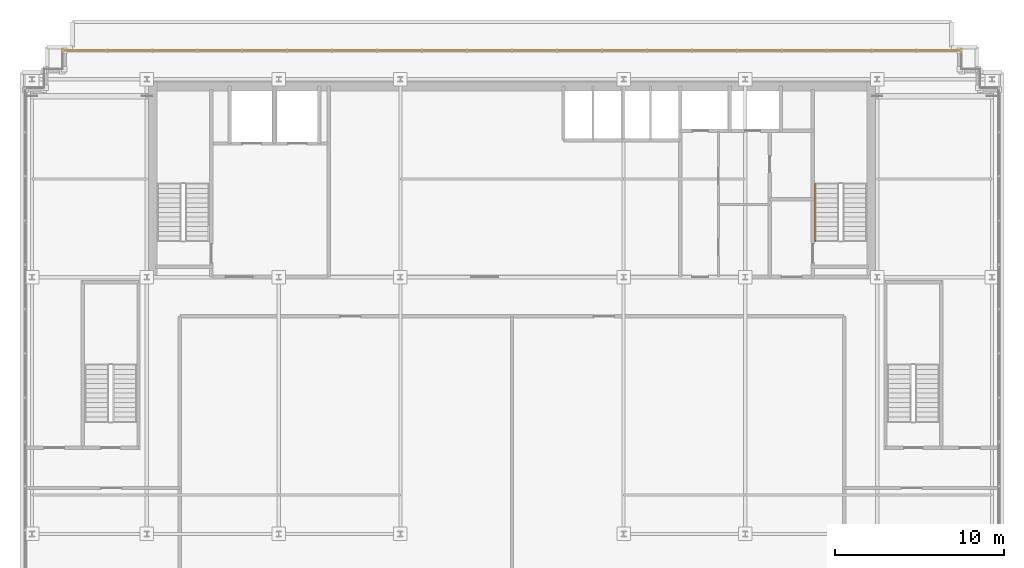
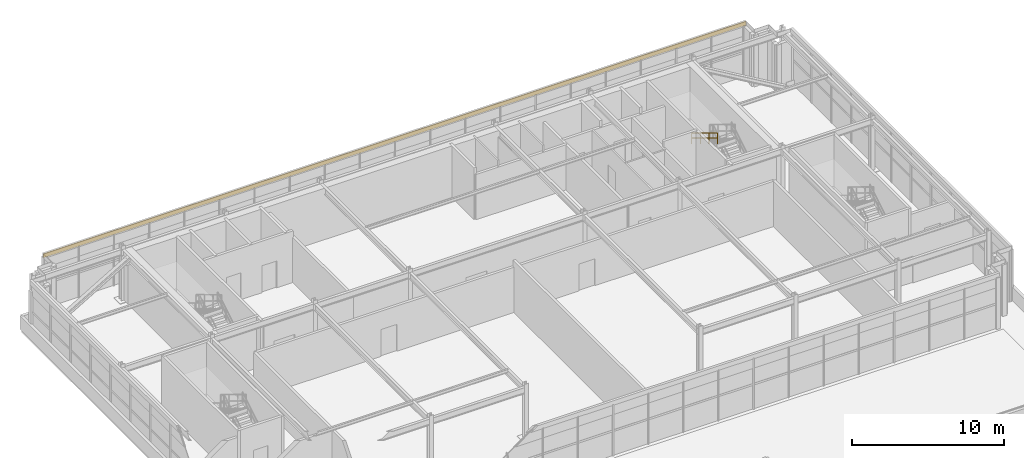
# One storey, part 37 of 38: 1 covering, 1 railing.
"""IFC4 building model written with IfcOpenShell, lengths in metres."""

import ifcopenshell
import ifcopenshell.guid

model = None  # the IFC model being written
_history = None  # IfcOwnerHistory: only IFC2X3 demands one
_inside = {}  # id of a spatial element -> (the spatial element, [elements in it])
_under = {}  # id of a project, library or spatial element -> (it, [spatial elements below it])
_declared = {}  # id of a project -> (the project, [libraries it declares])
_typed = {}  # id of a type object -> (the type object, [elements of that type])
_made_of = {}  # id of a material, layer set ... -> (it, [elements and type objects made of it])


def new_model(schema):
    """Start an empty IFC model of exactly this schema.

    Asked for "IFC4X3", IfcOpenShell would pick the latest addendum, in which some entities
    have other attributes; the version numbers below select the first issue.
    IFC2X3 requires an IfcOwnerHistory on every rooted entity: one is made here for all.
    """
    global model, _history
    if schema == "IFC4X3":
        model = ifcopenshell.file(schema_version=(4, 3, 0, 0))
    else:
        model = ifcopenshell.file(schema=schema)
    _inside.clear()
    _under.clear()
    _declared.clear()
    _typed.clear()
    _made_of.clear()
    _history = None
    if model.schema == "IFC2X3":
        org = make("IfcOrganization", Name="unknown")
        user = make(
            "IfcPersonAndOrganization",
            ThePerson=make("IfcPerson", FamilyName="unknown"),
            TheOrganization=org,
        )
        app = make(
            "IfcApplication",
            ApplicationDeveloper=org,
            Version="unknown",
            ApplicationFullName="unknown",
            ApplicationIdentifier="unknown",
        )
        _history = make(
            "IfcOwnerHistory",
            OwningUser=user,
            OwningApplication=app,
            ChangeAction="ADDED",
            CreationDate=0,
        )
    return model


def make(cls, **values):
    """One entity of the class cls with the attributes given. An attribute that is None is left unset."""
    return model.create_entity(
        cls, **{name: value for name, value in values.items() if value is not None}
    )


def rooted(cls, **values):
    """An entity with a GlobalId (a new one), such as an element, a storey or a relation."""
    return make(cls, GlobalId=ifcopenshell.guid.new(), OwnerHistory=_history, **values)


def si_unit(unit_type, name, prefix=None):
    """IfcSIUnit, for example si_unit("LENGTHUNIT", "METRE", prefix="MILLI")."""
    return make("IfcSIUnit", UnitType=unit_type, Prefix=prefix, Name=name)


def assignment(units):
    """IfcUnitAssignment: the units of a project."""
    return None if units is None else make("IfcUnitAssignment", Units=units)


def point(xyz):
    """IfcCartesianPoint."""
    return None if xyz is None else make("IfcCartesianPoint", Coordinates=xyz)


def direction(xyz):
    """IfcDirection."""
    return None if xyz is None else make("IfcDirection", DirectionRatios=xyz)


def frame(location, z_axis=None, x_axis=None):
    """IfcAxis2Placement3D, a coordinate frame: its origin and axes. An axis left out is left unset."""
    return make(
        "IfcAxis2Placement3D",
        Location=point(location),
        Axis=direction(z_axis),
        RefDirection=direction(x_axis),
    )


def frame_2d(location, x_axis=None):
    """IfcAxis2Placement2D, a coordinate frame in the plane: its origin and x axis."""
    return make(
        "IfcAxis2Placement2D", Location=point(location), RefDirection=direction(x_axis)
    )


def origin():
    """The frame at (0, 0, 0) with its axes left unset."""
    return frame((0.0, 0.0, 0.0))


def origin_2d():
    """The frame at (0, 0) in the plane with its x axis left unset."""
    return frame_2d((0.0, 0.0))


def place(relative_to, where):
    """IfcLocalPlacement: puts the frame where relative to a parent placement (None: the world)."""
    return make(
        "IfcLocalPlacement", PlacementRelTo=relative_to, RelativePlacement=where
    )


def context(
    kind, dimensions, precision=None, world=None, true_north=None, identifier=None
):
    """IfcGeometricRepresentationContext, for example the 3D "Model" context."""
    return make(
        "IfcGeometricRepresentationContext",
        ContextIdentifier=identifier,
        ContextType=kind,
        CoordinateSpaceDimension=dimensions,
        Precision=precision,
        WorldCoordinateSystem=world,
        TrueNorth=true_north,
    )


def subcontext(parent, identifier, kind, view, scale=None):
    """IfcGeometricRepresentationSubContext, for example "Body" below "Model"."""
    return make(
        "IfcGeometricRepresentationSubContext",
        ContextIdentifier=identifier,
        ContextType=kind,
        ParentContext=parent,
        TargetScale=scale,
        TargetView=view,
    )


def project(units=None, contexts=None):
    """IfcProject with its units and contexts."""
    return rooted(
        "IfcProject",
        Name="project",
        RepresentationContexts=contexts,
        UnitsInContext=assignment(units),
    )


def spatial(cls, under=None, at=None, **own):
    """A site, building, storey or space (cls), placed at a placement, below another one or the project."""
    s = rooted(cls, ObjectPlacement=at, **own)
    if under is not None:
        _under.setdefault(under.id(), (under, []))[1].append(s)
    return s


def profile(cls, at=None, kind="AREA", **sizes):
    """A parametric profile (cls). Its sizes go by their IFC names, for example OverallWidth=200.0."""
    return make(cls, ProfileType=kind, Position=at, **sizes)


def rectangle(**sizes):
    """IfcRectangleProfileDef."""
    return profile("IfcRectangleProfileDef", **sizes)


def extrude(swept, where, along, depth):
    """IfcExtrudedAreaSolid: the profile swept, set in the frame where, extruded along a direction by depth."""
    return make(
        "IfcExtrudedAreaSolid",
        SweptArea=swept,
        Position=where,
        ExtrudedDirection=direction(along),
        Depth=depth,
    )


def shape(context_of_items, identifier, shape_type, items):
    """IfcShapeRepresentation: the items that make up one representation, for example the "Body"."""
    return make(
        "IfcShapeRepresentation",
        ContextOfItems=context_of_items,
        RepresentationIdentifier=identifier,
        RepresentationType=shape_type,
        Items=items,
    )


def source(mapping_origin, context_of_items, identifier, shape_type, items):
    """IfcRepresentationMap: a shape defined once, which mapped items show again and again."""
    return make(
        "IfcRepresentationMap",
        MappingOrigin=mapping_origin,
        MappedRepresentation=shape(context_of_items, identifier, shape_type, items),
    )


def transform(
    local_origin,
    x_axis=None,
    y_axis=None,
    z_axis=None,
    scale=None,
    scale2=None,
    scale3=None,
    uniform=True,
):
    """IfcCartesianTransformationOperator3D, or its non-uniform kind. x_axis, y_axis, z_axis: its Axis1, 2, 3."""
    if uniform:
        return make(
            "IfcCartesianTransformationOperator3D",
            Axis1=direction(x_axis),
            Axis2=direction(y_axis),
            LocalOrigin=point(local_origin),
            Scale=scale,
            Axis3=direction(z_axis),
        )
    return make(
        "IfcCartesianTransformationOperator3DnonUniform",
        Axis1=direction(x_axis),
        Axis2=direction(y_axis),
        LocalOrigin=point(local_origin),
        Scale=scale,
        Axis3=direction(z_axis),
        Scale2=scale2,
        Scale3=scale3,
    )


def mapped(mapping_source, mapping_target):
    """IfcMappedItem: shows the shape of a source again, moved by a transform."""
    return make(
        "IfcMappedItem", MappingSource=mapping_source, MappingTarget=mapping_target
    )


def material(Name=None, Category=None):
    """IfcMaterial."""
    return make("IfcMaterial", Name=Name, Category=Category)


def layer(
    of_material, thickness, ventilated=None, Name=None, Category=None, Priority=None
):
    """IfcMaterialLayer: one layer of a wall or slab, of a material (None: an air gap)."""
    return make(
        "IfcMaterialLayer",
        Material=of_material,
        LayerThickness=thickness,
        IsVentilated=ventilated,
        Name=Name,
        Category=Category,
        Priority=Priority,
    )


def layer_set(layers, Name=None):
    """IfcMaterialLayerSet."""
    return make("IfcMaterialLayerSet", MaterialLayers=layers, LayerSetName=Name)


def made_of(thing, what):
    """Note that an element or type object is made of a material, layer set ...; save() writes the relation."""
    if what is not None:
        _made_of.setdefault(what.id(), (what, []))[1].append(thing)
    return thing


def type_object(cls, material=None, **own):
    """A type object (cls), such as IfcWallType, which elements share."""
    return made_of(rooted(cls, **own), material)


def element(
    cls,
    number,
    at=None,
    inside=None,
    cuts=None,
    type_object=None,
    material=None,
    context=None,
    identifier="Body",
    shape_type=None,
    held_by="IfcProductDefinitionShape",
    body=None,
    shapes=None,
    **own,
):
    """One element of the class cls, such as IfcWall. Its Tag is "e" and its number.

    at: its placement. inside: the storey or other place that contains it. cuts: it is an
    opening in that element (IfcRelVoidsElement). A single representation is given by context,
    identifier, shape_type and body (its items); several are given by shapes. held_by: the class
    of the entity that holds the representations. save() writes the other relations.
    """
    e = rooted(cls, Tag="e%d" % number, ObjectPlacement=at, **own)
    if body is not None:
        shapes = [shape(context, identifier, shape_type, body)]
    if shapes is not None:
        e.Representation = make(held_by, Representations=shapes)
    if inside is not None:
        _inside.setdefault(inside.id(), (inside, []))[1].append(e)
    if cuts is not None:
        rooted(
            "IfcRelVoidsElement", RelatingBuildingElement=cuts, RelatedOpeningElement=e
        )
    if type_object is not None:
        _typed.setdefault(type_object.id(), (type_object, []))[1].append(e)
    return made_of(e, material)


def aggregate(whole, parts):
    """IfcRelAggregates: a whole, such as a stair, and the parts it consists of."""
    return rooted("IfcRelAggregates", RelatingObject=whole, RelatedObjects=parts)


def save(model, path):
    """Write the relations noted so far, then the file.

    IfcRelAggregates (storeys below a building ...), IfcRelContainedInSpatialStructure (elements
    in a storey), IfcRelDefinesByType, IfcRelAssociatesMaterial and IfcRelDeclares: one each for
    every whole, place, type object, material and project.
    """
    for whole, parts in _under.values():
        aggregate(whole, parts)
    for where, things in _inside.values():
        rooted(
            "IfcRelContainedInSpatialStructure",
            RelatedElements=things,
            RelatingStructure=where,
        )
    for kind, things in _typed.values():
        rooted("IfcRelDefinesByType", RelatedObjects=things, RelatingType=kind)
    for what, things in _made_of.values():
        rooted("IfcRelAssociatesMaterial", RelatedObjects=things, RelatingMaterial=what)
    for by, libraries in _declared.values():
        rooted("IfcRelDeclares", RelatingContext=by, RelatedDefinitions=libraries)
    model.write(path)


model = new_model("IFC4")

# Units and contexts
model_context = context("Model", 3, precision=1e-05, world=origin(), true_north=direction((0.0, 1.0)))
body_context = subcontext(model_context, "Body", "Model", "MODEL_VIEW")
ifc_project = project(units=[si_unit("LENGTHUNIT", "METRE"), si_unit("AREAUNIT", "SQUARE_METRE"), si_unit("VOLUMEUNIT", "CUBIC_METRE"), si_unit("PLANEANGLEUNIT", "RADIAN"), si_unit("MASSUNIT", "GRAM", prefix="KILO")], contexts=[model_context])

# Site, building, storey
site_placement = place(None, origin())
site = spatial("IfcSite", under=ifc_project, at=site_placement, CompositionType="ELEMENT")
building_placement = place(site_placement, origin())
building = spatial("IfcBuilding", under=site, at=building_placement, Name="Trelvane Seafront Commons", CompositionType="ELEMENT")
storey_placement = place(building_placement, frame((0.0, 0.0, 299.10009765625)))
storey = spatial("IfcBuildingStorey", under=building, at=storey_placement, Name="L78", CompositionType="ELEMENT", Elevation=299.10009765625)

# Railing
ifc_material_1 = material(Name="Stainless steel balustrade", Category="steel")
railing_type = type_object("IfcRailingType", Name="ARCH-SRL-HAND", PredefinedType="HANDRAIL", material=ifc_material_1)
railing_placement = place(storey_placement, frame((55.14990234375, 38.909912109375, 2.369140625)))
element("IfcRailing", 1, at=railing_placement, inside=storey, type_object=railing_type, Name="L78 ST-2 stair handrail 2", PredefinedType="HANDRAIL", context=body_context, shape_type="SweptSolid", body=[
    extrude(rectangle(XDim=0.048095703125, YDim=0.048095703125, at=origin_2d()), frame((0.0, 0.0, 0.8759765625), z_axis=(0.0, -0.855820338506, 0.51727318527), x_axis=(1.0, 0.0, 0.0)), (0.0, 0.0, 1.0), 3.92578125),
    extrude(rectangle(XDim=0.048095703125, YDim=0.048095703125, at=origin_2d()), frame((0.0, 0.0, 0.468017578125), z_axis=(0.0, -0.855820338506, 0.51727318527), x_axis=(1.0, 0.0, 0.0)), (0.0, 0.0, 1.0), 3.92578125),
    extrude(rectangle(XDim=0.0419921875, YDim=0.0419921875, at=origin_2d()), origin(), (0.0, 0.0, 1.0), 0.8759765625),
    extrude(rectangle(XDim=0.0419921875, YDim=0.0419921875, at=origin_2d()), frame((0.0, -1.119873046875, 0.677001953125)), (0.0, 0.0, 1.0), 0.8759765625),
    extrude(rectangle(XDim=0.0419921875, YDim=0.0419921875, at=origin_2d()), frame((0.0, -2.239990234375, 1.353759765625)), (0.0, 0.0, 1.0), 0.8759765625),
    extrude(rectangle(XDim=0.0419921875, YDim=0.0419921875, at=origin_2d()), frame((0.0, -3.35986328125, 2.03076171875)), (0.0, 0.0, 1.0), 0.8759765625),
])

# Covering
ifc_material_2 = material(Name="Anodised pale-silver aluminium", Category="aluminium")
ifc_layer = layer(ifc_material_2, 0.034912109375, Name="ARCH-COV-CLAD35")
ifc_layer_set = layer_set([ifc_layer], Name="Anodised pale-silver aluminium")
covering_type = type_object("IfcCoveringType", Name="ARCH-COV-CLAD35", PredefinedType="CLADDING", material=ifc_layer_set)
shared_shape = source(origin(), body_context, "Body", "SweptSolid", [
    extrude(rectangle(XDim=53.199951171875, YDim=0.034912109375, at=origin_2d()), origin(), (0.0, 0.0, 1.0), 0.330078125),
])
covering_placement = place(storey_placement, frame((37.199951171875, 46.800048828125, 4.06982421875), z_axis=(0.0, 0.0, 1.0), x_axis=(1.0, 0.0, 0.0)))
element("IfcCovering", 2, at=covering_placement, inside=storey, type_object=covering_type, Name="CLD-L78-0337", PredefinedType="CLADDING", context=body_context, shape_type="MappedRepresentation", body=[
    mapped(shared_shape, transform((0.0, 0.0, 0.0), x_axis=(1.0, 0.0, 0.0), y_axis=(0.0, 1.0, 0.0), z_axis=(0.0, 0.0, 1.0), scale=1.0)),
])

save(model, "model.ifc")
